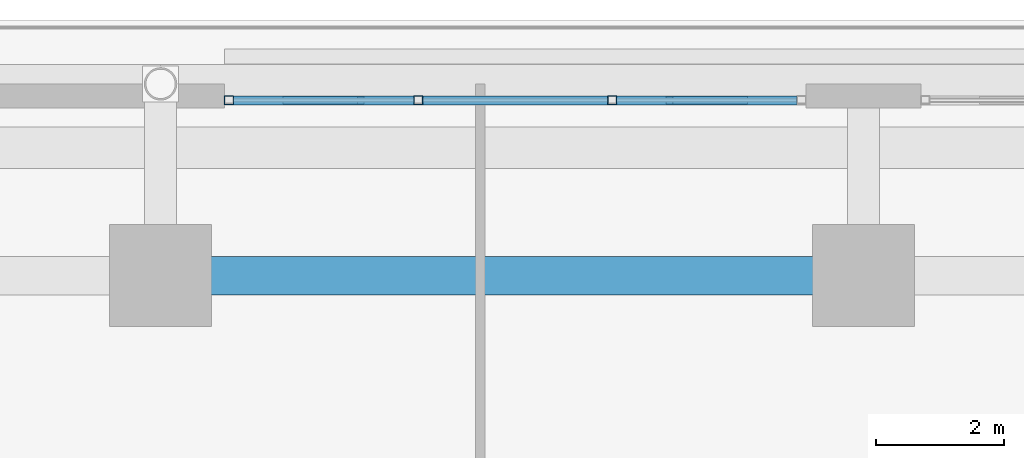
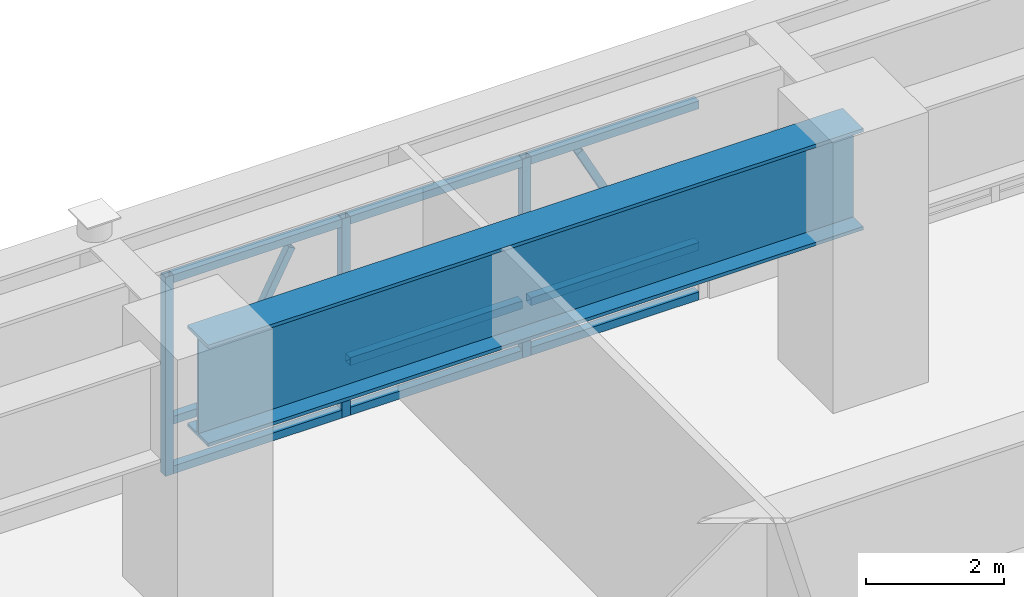
# One storey, part 18 of 38: 14 members, 1 beam, 1 element without a shape of its own.
"""IFC4 building model written with IfcOpenShell, lengths in metres."""

from ifc_helpers import new_model, si_unit, direction, frame, origin, origin_2d, place, context, subcontext, project, spatial, hollow_rectangle, i_section, extrude, source, transform, mapped, material, material_profile, profile_set, type_object, element, aggregate, save


model = new_model("IFC4")

# Units and contexts
model_context = context("Model", 3, precision=1e-05, world=origin(), true_north=direction((0.0, 1.0)))
body_context = subcontext(model_context, "Body", "Model", "MODEL_VIEW")
ifc_project = project(units=[si_unit("LENGTHUNIT", "METRE"), si_unit("AREAUNIT", "SQUARE_METRE"), si_unit("VOLUMEUNIT", "CUBIC_METRE"), si_unit("PLANEANGLEUNIT", "RADIAN"), si_unit("MASSUNIT", "GRAM", prefix="KILO")], contexts=[model_context])

# Site, building, storey
site_placement = place(None, origin())
site = spatial("IfcSite", under=ifc_project, at=site_placement, CompositionType="ELEMENT")
building_placement = place(site_placement, origin())
building = spatial("IfcBuilding", under=site, at=building_placement, Name="Khorayat Bourse Tower", CompositionType="ELEMENT")
storey_placement = place(building_placement, frame((0.0, 0.0, 17.39990234375)))
storey = spatial("IfcBuildingStorey", under=building, at=storey_placement, Name="L03", CompositionType="ELEMENT", Elevation=17.39990234375)

# Beam
ifc_material_1 = material(Name="Steel EN 10025-4 S460M", Category="steel")
ifc_material_profile_1 = material_profile(ifc_material_1, i_section(OverallWidth=0.60009765625, OverallDepth=1.800048828125, WebThickness=0.031982421875, FlangeThickness=0.06005859375, at=origin_2d()), Name="PG 1800x600x32x60")
ifc_profile_set_1 = profile_set([ifc_material_profile_1], Name="Steel EN 10025-4 S460M")
beam_type = type_object("IfcBeamType", Name="BM-TR-1800", PredefinedType="BEAM", material=ifc_profile_set_1)
shared_shape_1 = source(origin(), body_context, "Body", "SweptSolid", [
    extrude(i_section(OverallWidth=0.60009765625, OverallDepth=1.800048828125, WebThickness=0.031982421875, FlangeThickness=0.06005859375, at=origin_2d()), origin(), (0.0, 0.0, 1.0), 11.0),
])
beam_placement = place(storey_placement, frame((-11.0, 32.0, 3.580078125), z_axis=(1.0, 0.0, 0.0), x_axis=(0.0, 1.0, 0.0)))
element("IfcBeam", 1, at=beam_placement, inside=storey, type_object=beam_type, Name="L03 BM-TR-1800 BM-L03-PGX-081", PredefinedType="BEAM", context=body_context, shape_type="MappedRepresentation", body=[
    mapped(shared_shape_1, transform((0.0, 0.0, 0.0), scale=1.0)),
])

# Curtain wall, members
ifc_material_2 = material(Name="Aluminium EN AW-6063 T6", Category="aluminium")
curtain_wall_type = type_object("IfcCurtainWallType", Name="CW-SYS-01", PredefinedType="NOTDEFINED", material=ifc_material_2)
curtain_wall_placement = place(storey_placement, origin())
curtain_wall = element("IfcCurtainWall", 2, at=curtain_wall_placement, inside=storey, type_object=curtain_wall_type, Name="L03 Curtain Wall CW-L03-NW", PredefinedType="NOTDEFINED")
ifc_material_profile_2 = material_profile(ifc_material_2, hollow_rectangle(XDim=0.139892578125, YDim=0.139892578125, WallThickness=0.006103515625, at=origin_2d()), Name="ALU 140x140x6")
ifc_profile_set_2 = profile_set([ifc_material_profile_2], Name="Aluminium EN AW-6063 T6")
member_type_1 = type_object("IfcMemberType", Name="CWT-HORZ-140", PredefinedType="USERDEFINED", material=ifc_profile_set_2)
shared_shape_2 = source(origin(), body_context, "Body", "SweptSolid", [
    extrude(hollow_rectangle(XDim=0.139892578125, YDim=0.139892578125, WallThickness=0.006103515625, at=origin_2d()), origin(), (0.0, 0.0, 1.0), 2.823486328125),
])
member_1_placement = place(storey_placement, frame((-7.03662109375, 34.742919921875, 0.070068359375), z_axis=(-1.0, 0.0, 0.0), x_axis=(0.0, -1.0, 0.0)))
member_1 = element("IfcMember", 3, at=member_1_placement, type_object=member_type_1, Name="CW-L03-NW Horizontal Transom 3-1", ObjectType="TRANSOM", PredefinedType="USERDEFINED", context=body_context, shape_type="MappedRepresentation", body=[
    mapped(shared_shape_2, transform((0.0, 0.0, 0.0), scale=1.0)),
])
member_2_placement = place(storey_placement, frame((-7.03662109375, 34.742919921875, 0.9501953125), z_axis=(-1.0, 0.0, 0.0), x_axis=(0.0, -1.0, 0.0)))
member_2 = element("IfcMember", 4, at=member_2_placement, type_object=member_type_1, Name="CW-L03-NW Horizontal Transom 3-2", ObjectType="TRANSOM", PredefinedType="USERDEFINED", context=body_context, shape_type="MappedRepresentation", body=[
    mapped(shared_shape_2, transform((0.0, 0.0, 0.0), scale=1.0)),
])
member_3_placement = place(storey_placement, frame((-7.03662109375, 34.742919921875, 3.460205078125), z_axis=(-1.0, 0.0, 0.0), x_axis=(0.0, -1.0, 0.0)))
member_3 = element("IfcMember", 5, at=member_3_placement, type_object=member_type_1, Name="CW-L03-NW Horizontal Transom 3-3", ObjectType="TRANSOM", PredefinedType="USERDEFINED", context=body_context, shape_type="MappedRepresentation", body=[
    mapped(shared_shape_2, transform((0.0, 0.0, 0.0), scale=1.0)),
])
shared_shape_3 = source(origin(), body_context, "Body", "SweptSolid", [
    extrude(hollow_rectangle(XDim=0.139892578125, YDim=0.139892578125, WallThickness=0.006103515625, at=origin_2d()), origin(), (0.0, 0.0, 1.0), 2.893310546875),
])
member_4_placement = place(storey_placement, frame((-4.00341796875, 34.742919921875, 0.070068359375), z_axis=(-1.0, 0.0, 0.0), x_axis=(0.0, -1.0, 0.0)))
member_4 = element("IfcMember", 6, at=member_4_placement, type_object=member_type_1, Name="CW-L03-NW Horizontal Transom 2-1", ObjectType="TRANSOM", PredefinedType="USERDEFINED", context=body_context, shape_type="MappedRepresentation", body=[
    mapped(shared_shape_3, transform((0.0, 0.0, 0.0), scale=1.0)),
])
member_5_placement = place(storey_placement, frame((-4.00341796875, 34.742919921875, 0.9501953125), z_axis=(-1.0, 0.0, 0.0), x_axis=(0.0, -1.0, 0.0)))
member_5 = element("IfcMember", 7, at=member_5_placement, type_object=member_type_1, Name="CW-L03-NW Horizontal Transom 2-2", ObjectType="TRANSOM", PredefinedType="USERDEFINED", context=body_context, shape_type="MappedRepresentation", body=[
    mapped(shared_shape_3, transform((0.0, 0.0, 0.0), scale=1.0)),
])
member_6_placement = place(storey_placement, frame((-4.00341796875, 34.742919921875, 3.460205078125), z_axis=(-1.0, 0.0, 0.0), x_axis=(0.0, -1.0, 0.0)))
member_6 = element("IfcMember", 8, at=member_6_placement, type_object=member_type_1, Name="CW-L03-NW Horizontal Transom 2-3", ObjectType="TRANSOM", PredefinedType="USERDEFINED", context=body_context, shape_type="MappedRepresentation", body=[
    mapped(shared_shape_3, transform((0.0, 0.0, 0.0), scale=1.0)),
])
shared_shape_4 = source(origin(), body_context, "Body", "SweptSolid", [
    extrude(hollow_rectangle(XDim=0.139892578125, YDim=0.139892578125, WallThickness=0.006103515625, at=origin_2d()), origin(), (0.0, 0.0, 1.0), 2.8232421875),
])
member_7_placement = place(storey_placement, frame((-1.0400390625, 34.742919921875, 0.070068359375), z_axis=(-1.0, 0.0, 0.0), x_axis=(0.0, -1.0, 0.0)))
member_7 = element("IfcMember", 9, at=member_7_placement, type_object=member_type_1, Name="CW-L03-NW Horizontal Transom 1-1", ObjectType="TRANSOM", PredefinedType="USERDEFINED", context=body_context, shape_type="MappedRepresentation", body=[
    mapped(shared_shape_4, transform((0.0, 0.0, 0.0), scale=1.0)),
])
member_8_placement = place(storey_placement, frame((-1.0400390625, 34.742919921875, 0.9501953125), z_axis=(-1.0, 0.0, 0.0), x_axis=(0.0, -1.0, 0.0)))
member_8 = element("IfcMember", 10, at=member_8_placement, type_object=member_type_1, Name="CW-L03-NW Horizontal Transom 1-2", ObjectType="TRANSOM", PredefinedType="USERDEFINED", context=body_context, shape_type="MappedRepresentation", body=[
    mapped(shared_shape_4, transform((0.0, 0.0, 0.0), scale=1.0)),
])
member_9_placement = place(storey_placement, frame((-1.0400390625, 34.742919921875, 3.460205078125), z_axis=(-1.0, 0.0, 0.0), x_axis=(0.0, -1.0, 0.0)))
member_9 = element("IfcMember", 11, at=member_9_placement, type_object=member_type_1, Name="CW-L03-NW Horizontal Transom 1-3", ObjectType="TRANSOM", PredefinedType="USERDEFINED", context=body_context, shape_type="MappedRepresentation", body=[
    mapped(shared_shape_4, transform((0.0, 0.0, 0.0), scale=1.0)),
])
ifc_material_profile_3 = material_profile(ifc_material_2, hollow_rectangle(XDim=0.139892578125, YDim=0.139892578125, WallThickness=0.006103515625, at=origin_2d()), Name="ALU 140x140x6")
ifc_profile_set_3 = profile_set([ifc_material_profile_3], Name="Aluminium EN AW-6063 T6")
member_type_2 = type_object("IfcMemberType", Name="CWM-VERT-140", PredefinedType="MULLION", material=ifc_profile_set_3)
shared_shape_5 = source(origin(), body_context, "Body", "SweptSolid", [
    extrude(hollow_rectangle(XDim=0.139892578125, YDim=0.139892578125, WallThickness=0.006103515625, at=origin_2d()), origin(), (0.0, 0.0, 1.0), 3.530029296875),
])
member_10_placement = place(storey_placement, frame((-3.933349609375, 34.742919921875, 0.0), z_axis=(0.0, 0.0, 1.0), x_axis=(0.0, -1.0, 0.0)))
member_10 = element("IfcMember", 12, at=member_10_placement, type_object=member_type_2, Name="CW-L03-NW Vertical Mullion 2", PredefinedType="MULLION", context=body_context, shape_type="MappedRepresentation", body=[
    mapped(shared_shape_5, transform((0.0, 0.0, 0.0), scale=1.0)),
])
member_11_placement = place(storey_placement, frame((-6.966552734375, 34.742919921875, 0.0), z_axis=(0.0, 0.0, 1.0), x_axis=(0.0, -1.0, 0.0)))
member_11 = element("IfcMember", 13, at=member_11_placement, type_object=member_type_2, Name="CW-L03-NW Vertical Mullion 3", PredefinedType="MULLION", context=body_context, shape_type="MappedRepresentation", body=[
    mapped(shared_shape_5, transform((0.0, 0.0, 0.0), scale=1.0)),
])
member_12_placement = place(storey_placement, frame((-9.929931640625, 34.742919921875, 0.0), z_axis=(0.0, 0.0, 1.0), x_axis=(0.0, -1.0, 0.0)))
member_12 = element("IfcMember", 14, at=member_12_placement, type_object=member_type_2, Name="CW-L03-NW Vertical Mullion 4", PredefinedType="MULLION", context=body_context, shape_type="MappedRepresentation", body=[
    mapped(shared_shape_5, transform((0.0, 0.0, 0.0), scale=1.0)),
])
ifc_material_profile_4 = material_profile(ifc_material_2, hollow_rectangle(XDim=0.1201171875, YDim=0.1201171875, WallThickness=0.0048828125, at=origin_2d()), Name="ALU 120x120x5")
ifc_profile_set_4 = profile_set([ifc_material_profile_4], Name="Aluminium EN AW-6063 T6")
member_type_3 = type_object("IfcMemberType", Name="CWM-DIAG-120", PredefinedType="MULLION", material=ifc_profile_set_4)
shared_shape_6 = source(origin(), body_context, "Body", "SweptSolid", [
    extrude(hollow_rectangle(XDim=0.1201171875, YDim=0.1201171875, WallThickness=0.0048828125, at=origin_2d()), origin(), (0.0, 0.0, 1.0), 2.49755859375),
])
member_13_placement = place(storey_placement, frame((-9.030029296875, 34.742919921875, 1.10009765625), z_axis=(0.465806866522, 0.0, 0.884886412542), x_axis=(0.0, 1.0, 0.0)))
member_13 = element("IfcMember", 15, at=member_13_placement, type_object=member_type_3, Name="CW-L03-NW Faceted Diagonal Mullion 3", PredefinedType="MULLION", context=body_context, shape_type="MappedRepresentation", body=[
    mapped(shared_shape_6, transform((0.0, 0.0, 0.0), scale=1.0)),
])
shared_shape_7 = source(origin(), body_context, "Body", "SweptSolid", [
    extrude(hollow_rectangle(XDim=0.1201171875, YDim=0.1201171875, WallThickness=0.0048828125, at=origin_2d()), origin(), (0.0, 0.0, 1.0), 2.497314453125),
])
member_14_placement = place(storey_placement, frame((-1.8701171875, 34.742919921875, 1.10009765625), z_axis=(-0.465730316081, 0.0, 0.884926704695), x_axis=(0.0, -1.0, 0.0)))
member_14 = element("IfcMember", 16, at=member_14_placement, type_object=member_type_3, Name="CW-L03-NW Faceted Diagonal Mullion 1", PredefinedType="MULLION", context=body_context, shape_type="MappedRepresentation", body=[
    mapped(shared_shape_7, transform((0.0, 0.0, 0.0), scale=1.0)),
])
aggregate(curtain_wall, [member_10, member_11, member_12, member_7, member_8, member_9, member_14, member_4, member_5, member_6, member_1, member_2, member_3, member_13])

save(model, "model.ifc")
